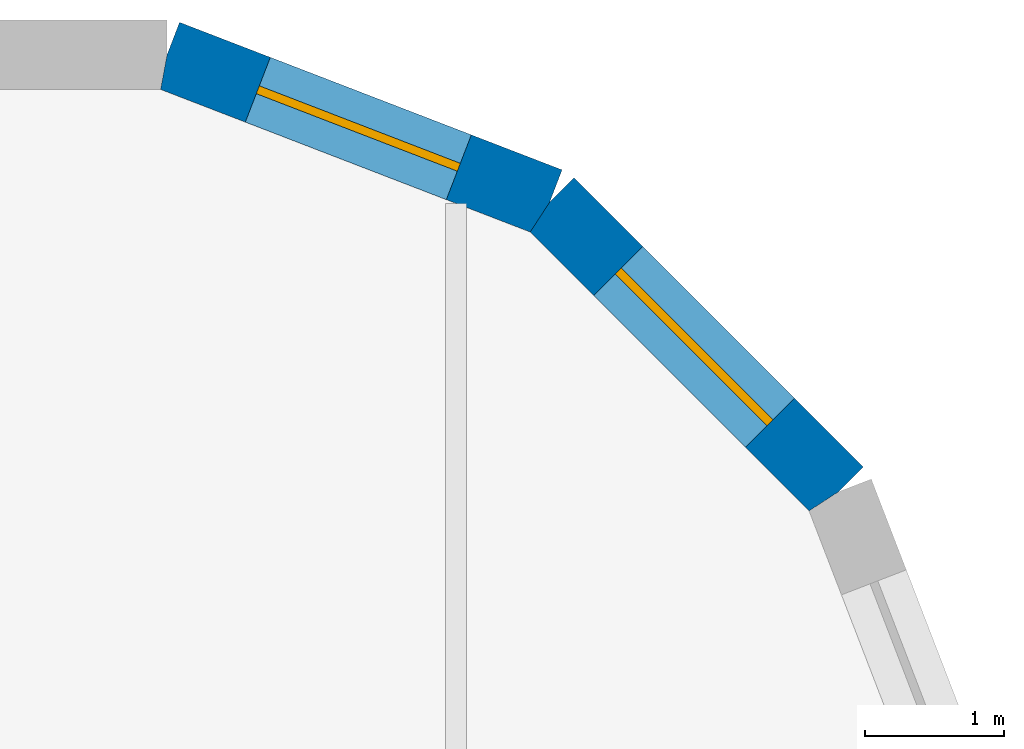
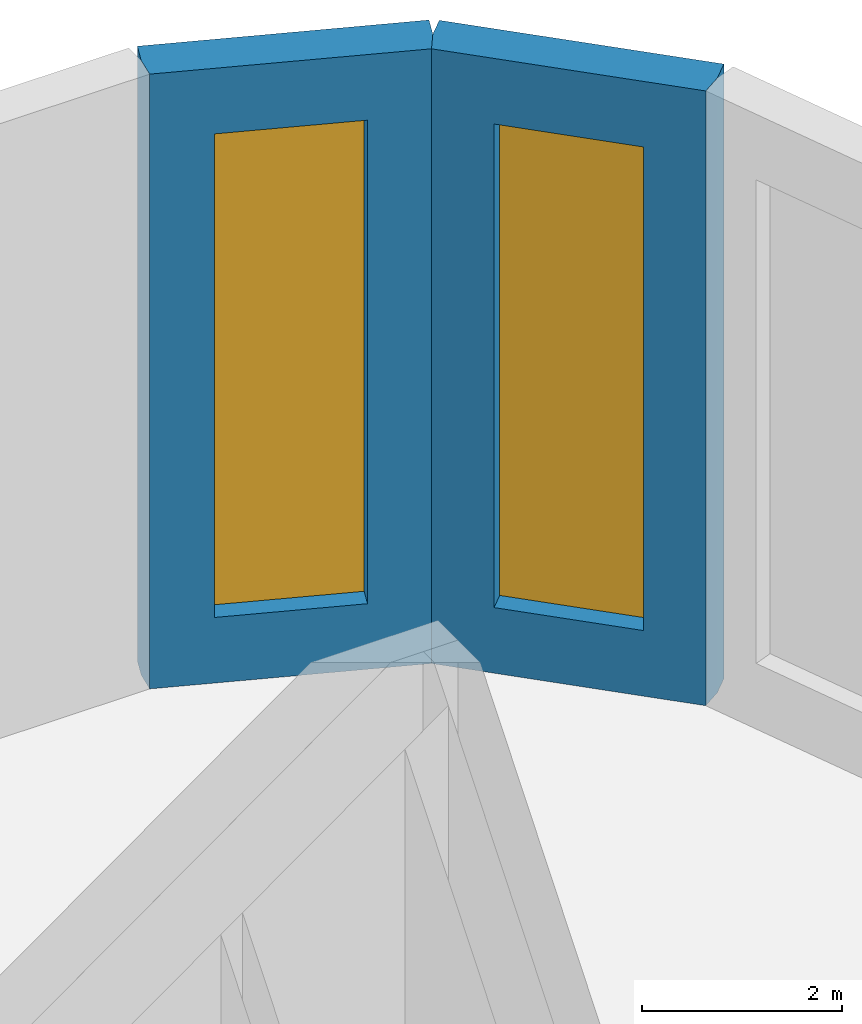
# One storey, part 5 of 6: 2 walls, 2 windows, 2 openings.
"""IFC4 building model written with IfcOpenShell, lengths in metres."""

import ifcopenshell
import ifcopenshell.guid

model = None  # the IFC model being written
_history = None  # IfcOwnerHistory: only IFC2X3 demands one
_inside = {}  # id of a spatial element -> (the spatial element, [elements in it])
_under = {}  # id of a project, library or spatial element -> (it, [spatial elements below it])
_declared = {}  # id of a project -> (the project, [libraries it declares])
_typed = {}  # id of a type object -> (the type object, [elements of that type])
_made_of = {}  # id of a material, layer set ... -> (it, [elements and type objects made of it])


def new_model(schema):
    """Start an empty IFC model of exactly this schema.

    Asked for "IFC4X3", IfcOpenShell would pick the latest addendum, in which some entities
    have other attributes; the version numbers below select the first issue.
    IFC2X3 requires an IfcOwnerHistory on every rooted entity: one is made here for all.
    """
    global model, _history
    if schema == "IFC4X3":
        model = ifcopenshell.file(schema_version=(4, 3, 0, 0))
    else:
        model = ifcopenshell.file(schema=schema)
    _inside.clear()
    _under.clear()
    _declared.clear()
    _typed.clear()
    _made_of.clear()
    _history = None
    if model.schema == "IFC2X3":
        org = make("IfcOrganization", Name="unknown")
        user = make(
            "IfcPersonAndOrganization",
            ThePerson=make("IfcPerson", FamilyName="unknown"),
            TheOrganization=org,
        )
        app = make(
            "IfcApplication",
            ApplicationDeveloper=org,
            Version="unknown",
            ApplicationFullName="unknown",
            ApplicationIdentifier="unknown",
        )
        _history = make(
            "IfcOwnerHistory",
            OwningUser=user,
            OwningApplication=app,
            ChangeAction="ADDED",
            CreationDate=0,
        )
    return model


def make(cls, **values):
    """One entity of the class cls with the attributes given. An attribute that is None is left unset."""
    return model.create_entity(
        cls, **{name: value for name, value in values.items() if value is not None}
    )


def rooted(cls, **values):
    """An entity with a GlobalId (a new one), such as an element, a storey or a relation."""
    return make(cls, GlobalId=ifcopenshell.guid.new(), OwnerHistory=_history, **values)


def si_unit(unit_type, name, prefix=None):
    """IfcSIUnit, for example si_unit("LENGTHUNIT", "METRE", prefix="MILLI")."""
    return make("IfcSIUnit", UnitType=unit_type, Prefix=prefix, Name=name)


def assignment(units):
    """IfcUnitAssignment: the units of a project."""
    return None if units is None else make("IfcUnitAssignment", Units=units)


def point(xyz):
    """IfcCartesianPoint."""
    return None if xyz is None else make("IfcCartesianPoint", Coordinates=xyz)


def direction(xyz):
    """IfcDirection."""
    return None if xyz is None else make("IfcDirection", DirectionRatios=xyz)


def frame(location, z_axis=None, x_axis=None):
    """IfcAxis2Placement3D, a coordinate frame: its origin and axes. An axis left out is left unset."""
    return make(
        "IfcAxis2Placement3D",
        Location=point(location),
        Axis=direction(z_axis),
        RefDirection=direction(x_axis),
    )


def origin():
    """The frame at (0, 0, 0) with its axes left unset."""
    return frame((0.0, 0.0, 0.0))


def place(relative_to, where):
    """IfcLocalPlacement: puts the frame where relative to a parent placement (None: the world)."""
    return make(
        "IfcLocalPlacement", PlacementRelTo=relative_to, RelativePlacement=where
    )


def context(
    kind, dimensions, precision=None, world=None, true_north=None, identifier=None
):
    """IfcGeometricRepresentationContext, for example the 3D "Model" context."""
    return make(
        "IfcGeometricRepresentationContext",
        ContextIdentifier=identifier,
        ContextType=kind,
        CoordinateSpaceDimension=dimensions,
        Precision=precision,
        WorldCoordinateSystem=world,
        TrueNorth=true_north,
    )


def subcontext(parent, identifier, kind, view, scale=None):
    """IfcGeometricRepresentationSubContext, for example "Body" below "Model"."""
    return make(
        "IfcGeometricRepresentationSubContext",
        ContextIdentifier=identifier,
        ContextType=kind,
        ParentContext=parent,
        TargetScale=scale,
        TargetView=view,
    )


def project(units=None, contexts=None):
    """IfcProject with its units and contexts."""
    return rooted(
        "IfcProject",
        Name="project",
        RepresentationContexts=contexts,
        UnitsInContext=assignment(units),
    )


def spatial(cls, under=None, at=None, **own):
    """A site, building, storey or space (cls), placed at a placement, below another one or the project."""
    s = rooted(cls, ObjectPlacement=at, **own)
    if under is not None:
        _under.setdefault(under.id(), (under, []))[1].append(s)
    return s


def polyline(points):
    """IfcPolyline through the points."""
    return make("IfcPolyline", Points=[point(p) for p in points])


def outline(outer, holes=None, kind="AREA"):
    """IfcArbitraryClosedProfileDef: a profile drawn as a closed curve; with holes, ...WithVoids."""
    if holes is None:
        return make("IfcArbitraryClosedProfileDef", ProfileType=kind, OuterCurve=outer)
    return make(
        "IfcArbitraryProfileDefWithVoids",
        ProfileType=kind,
        OuterCurve=outer,
        InnerCurves=holes,
    )


def extrude(swept, where, along, depth):
    """IfcExtrudedAreaSolid: the profile swept, set in the frame where, extruded along a direction by depth."""
    return make(
        "IfcExtrudedAreaSolid",
        SweptArea=swept,
        Position=where,
        ExtrudedDirection=direction(along),
        Depth=depth,
    )


def faces_of(points, faces, orient=None, outer=None):
    """IfcFace entities. A face is a list of loops; a loop is a list of indices into points, from 0.

    orient and outer hold one flag for each loop. By default every Orientation is true, the
    first loop of a face is its IfcFaceOuterBound and the others are IfcFaceBound.
    """
    made = []
    for i, loops in enumerate(faces):
        bounds = []
        for j, loop in enumerate(loops):
            is_outer = j == 0 if outer is None else outer[i][j]
            bounds.append(
                make(
                    "IfcFaceOuterBound" if is_outer else "IfcFaceBound",
                    Bound=make("IfcPolyLoop", Polygon=[points[k] for k in loop]),
                    Orientation=True if orient is None else orient[i][j],
                )
            )
        made.append(make("IfcFace", Bounds=bounds))
    return made


def faceted_brep(points, faces, orient=None, outer=None, voids=None):
    """IfcFacetedBrep: a solid bounded by flat faces; with voids (closed shells), ...WithVoids."""
    shared = [point(p) for p in points]
    hull = make("IfcClosedShell", CfsFaces=faces_of(shared, faces, orient, outer))
    if voids is None:
        return make("IfcFacetedBrep", Outer=hull)
    return make(
        "IfcFacetedBrepWithVoids",
        Outer=hull,
        Voids=[
            make(cls, CfsFaces=faces_of(shared, fs, o, b)) for cls, fs, o, b in voids
        ],
    )


def shape(context_of_items, identifier, shape_type, items):
    """IfcShapeRepresentation: the items that make up one representation, for example the "Body"."""
    return make(
        "IfcShapeRepresentation",
        ContextOfItems=context_of_items,
        RepresentationIdentifier=identifier,
        RepresentationType=shape_type,
        Items=items,
    )


def source(mapping_origin, context_of_items, identifier, shape_type, items):
    """IfcRepresentationMap: a shape defined once, which mapped items show again and again."""
    return make(
        "IfcRepresentationMap",
        MappingOrigin=mapping_origin,
        MappedRepresentation=shape(context_of_items, identifier, shape_type, items),
    )


def transform(
    local_origin,
    x_axis=None,
    y_axis=None,
    z_axis=None,
    scale=None,
    scale2=None,
    scale3=None,
    uniform=True,
):
    """IfcCartesianTransformationOperator3D, or its non-uniform kind. x_axis, y_axis, z_axis: its Axis1, 2, 3."""
    if uniform:
        return make(
            "IfcCartesianTransformationOperator3D",
            Axis1=direction(x_axis),
            Axis2=direction(y_axis),
            LocalOrigin=point(local_origin),
            Scale=scale,
            Axis3=direction(z_axis),
        )
    return make(
        "IfcCartesianTransformationOperator3DnonUniform",
        Axis1=direction(x_axis),
        Axis2=direction(y_axis),
        LocalOrigin=point(local_origin),
        Scale=scale,
        Axis3=direction(z_axis),
        Scale2=scale2,
        Scale3=scale3,
    )


def mapped(mapping_source, mapping_target):
    """IfcMappedItem: shows the shape of a source again, moved by a transform."""
    return make(
        "IfcMappedItem", MappingSource=mapping_source, MappingTarget=mapping_target
    )


def material(Name=None, Category=None):
    """IfcMaterial."""
    return make("IfcMaterial", Name=Name, Category=Category)


def layer(
    of_material, thickness, ventilated=None, Name=None, Category=None, Priority=None
):
    """IfcMaterialLayer: one layer of a wall or slab, of a material (None: an air gap)."""
    return make(
        "IfcMaterialLayer",
        Material=of_material,
        LayerThickness=thickness,
        IsVentilated=ventilated,
        Name=Name,
        Category=Category,
        Priority=Priority,
    )


def layer_set(layers, Name=None):
    """IfcMaterialLayerSet."""
    return make("IfcMaterialLayerSet", MaterialLayers=layers, LayerSetName=Name)


def made_of(thing, what):
    """Note that an element or type object is made of a material, layer set ...; save() writes the relation."""
    if what is not None:
        _made_of.setdefault(what.id(), (what, []))[1].append(thing)
    return thing


def type_object(cls, material=None, **own):
    """A type object (cls), such as IfcWallType, which elements share."""
    return made_of(rooted(cls, **own), material)


def element(
    cls,
    number,
    at=None,
    inside=None,
    cuts=None,
    type_object=None,
    material=None,
    context=None,
    identifier="Body",
    shape_type=None,
    held_by="IfcProductDefinitionShape",
    body=None,
    shapes=None,
    **own,
):
    """One element of the class cls, such as IfcWall. Its Tag is "e" and its number.

    at: its placement. inside: the storey or other place that contains it. cuts: it is an
    opening in that element (IfcRelVoidsElement). A single representation is given by context,
    identifier, shape_type and body (its items); several are given by shapes. held_by: the class
    of the entity that holds the representations. save() writes the other relations.
    """
    e = rooted(cls, Tag="e%d" % number, ObjectPlacement=at, **own)
    if body is not None:
        shapes = [shape(context, identifier, shape_type, body)]
    if shapes is not None:
        e.Representation = make(held_by, Representations=shapes)
    if inside is not None:
        _inside.setdefault(inside.id(), (inside, []))[1].append(e)
    if cuts is not None:
        rooted(
            "IfcRelVoidsElement", RelatingBuildingElement=cuts, RelatedOpeningElement=e
        )
    if type_object is not None:
        _typed.setdefault(type_object.id(), (type_object, []))[1].append(e)
    return made_of(e, material)


def fill(opening, filler):
    """IfcRelFillsElement: the door or window that sits in an opening."""
    return rooted(
        "IfcRelFillsElement",
        RelatingOpeningElement=opening,
        RelatedBuildingElement=filler,
    )


def aggregate(whole, parts):
    """IfcRelAggregates: a whole, such as a stair, and the parts it consists of."""
    return rooted("IfcRelAggregates", RelatingObject=whole, RelatedObjects=parts)


def save(model, path):
    """Write the relations noted so far, then the file.

    IfcRelAggregates (storeys below a building ...), IfcRelContainedInSpatialStructure (elements
    in a storey), IfcRelDefinesByType, IfcRelAssociatesMaterial and IfcRelDeclares: one each for
    every whole, place, type object, material and project.
    """
    for whole, parts in _under.values():
        aggregate(whole, parts)
    for where, things in _inside.values():
        rooted(
            "IfcRelContainedInSpatialStructure",
            RelatedElements=things,
            RelatingStructure=where,
        )
    for kind, things in _typed.values():
        rooted("IfcRelDefinesByType", RelatedObjects=things, RelatingType=kind)
    for what, things in _made_of.values():
        rooted("IfcRelAssociatesMaterial", RelatedObjects=things, RelatingMaterial=what)
    for by, libraries in _declared.values():
        rooted("IfcRelDeclares", RelatingContext=by, RelatedDefinitions=libraries)
    model.write(path)


model = new_model("IFC4")

# Units and contexts
model_context = context("Model", 3, precision=1e-05, world=origin(), true_north=direction((0.0, 1.0)))
body_context = subcontext(model_context, "Body", "Model", "MODEL_VIEW")
ifc_project = project(units=[si_unit("LENGTHUNIT", "METRE"), si_unit("AREAUNIT", "SQUARE_METRE"), si_unit("VOLUMEUNIT", "CUBIC_METRE"), si_unit("PLANEANGLEUNIT", "RADIAN"), si_unit("MASSUNIT", "GRAM", prefix="KILO")], contexts=[model_context])

# Site, building, storey
site_placement = place(None, origin())
site = spatial("IfcSite", under=ifc_project, at=site_placement, CompositionType="ELEMENT")
building_placement = place(site_placement, origin())
building = spatial("IfcBuilding", under=site, at=building_placement, Name="Tessera Gate Towers", CompositionType="ELEMENT")
storey_placement = place(building_placement, frame((0.0, 0.0, 265.699951171875)))
storey = spatial("IfcBuildingStorey", under=building, at=storey_placement, Name="L66", CompositionType="ELEMENT", Elevation=265.699951171875)

# Wall, opening, window
ifc_material_1 = material(Name="Precast concrete C60/75 white", Category="concrete")
ifc_layer_1 = layer(ifc_material_1, 0.5)
ifc_layer_set_1 = layer_set([ifc_layer_1], Name="RB1 ring band panel")
wall_type = type_object("IfcWallType", Name="RB1 ring band panel", PredefinedType="SOLIDWALL", material=ifc_layer_set_1)
shared_shape_1 = source(origin(), body_context, "Body", "Brep", [
    faceted_brep([(0.0, -0.25, 0.0), (2.944091796875, -0.25, 0.0), (2.944091796875, -0.25, 7.5), (0.0, -0.25, 7.5), (0.052978515625, 0.25, 7.5), (2.89111328125, 0.25, 7.5), (2.89111328125, 0.25, 0.0), (0.052978515625, 0.25, 0.0), (2.944091796875, 0.000244140625, 0.0), (0.0, 0.0, 0.0), (2.944091796875, 0.000244140625, 7.5), (0.0, 0.0, 7.5)], [[[0, 1, 2, 3]], [[4, 5, 6, 7]], [[7, 6, 8, 1, 0, 9]], [[10, 2, 1, 8]], [[5, 4, 11, 3, 2, 10]], [[9, 0, 3, 11]], [[7, 9, 11, 4]], [[8, 6, 5, 10]]]),
])
wall_1_placement = place(storey_placement, frame((59.68798828125, 51.50634765625, 0.0), z_axis=(0.0, 0.0, 1.0), x_axis=(-0.707106781187, 0.707106781187, 0.0)))
wall_1 = element("IfcWall", 1, at=wall_1_placement, inside=storey, type_object=wall_type, Name="Ring band panel T1 RB1-0532", PredefinedType="SOLIDWALL", context=body_context, shape_type="MappedRepresentation", body=[
    mapped(shared_shape_1, transform((0.0, 0.0, 0.0), scale=1.0)),
])
shared_shape_2 = source(origin(), body_context, "Body", "SweptSolid", [
    extrude(outline(polyline([(0.699951171875, 0.800048828125), (2.244140625, 0.800048828125), (2.244140625, 6.699951171875), (0.699951171875, 6.699951171875), (0.699951171875, 0.800048828125)])), frame((0.0, 0.260009765625, 0.0), z_axis=(0.0, -1.0, 0.0), x_axis=(1.0, 0.0, 0.0)), (0.0, 0.0, 1.0), 0.52001953125),
])
opening_1_placement = place(wall_1_placement, origin())
opening_1 = element("IfcOpeningElement", 2, at=opening_1_placement, cuts=wall_1, Name="Opening T1-WN-LV1-0107", PredefinedType="OPENING", context=body_context, shape_type="MappedRepresentation", body=[
    mapped(shared_shape_2, transform((0.0, 0.0, 0.0), scale=1.0)),
])
ifc_material_2 = material(Name="Aluminium louvre", Category="aluminium")
ifc_layer_2 = layer(ifc_material_2, 0.06005859375)
ifc_layer_set_2 = layer_set([ifc_layer_2], Name="LV1 louvre")
window_type = type_object("IfcWindowType", Name="LV1 louvre", PartitioningType="USERDEFINED", PredefinedType="WINDOW", material=ifc_layer_set_2)
shared_shape_3 = source(origin(), body_context, "Body", "SweptSolid", [
    extrude(outline(polyline([(0.699951171875, 0.800048828125), (2.244140625, 0.800048828125), (2.244140625, 6.699951171875), (0.699951171875, 6.699951171875), (0.699951171875, 0.800048828125)])), frame((0.0, 0.030029296875, 0.0), z_axis=(0.0, -1.0, 0.0), x_axis=(1.0, 0.0, 0.0)), (0.0, 0.0, 1.0), 0.06005859375),
])
window_1_placement = place(opening_1_placement, origin())
window_1 = element("IfcWindow", 3, at=window_1_placement, inside=storey, type_object=window_type, Name="Louvre T1 WN-LV1-0107", OverallHeight=5.89990234375, OverallWidth=1.544189453125, PartitioningType="USERDEFINED", PredefinedType="WINDOW", context=body_context, shape_type="MappedRepresentation", body=[
    mapped(shared_shape_3, transform((0.0, 0.0, 0.0), scale=1.0)),
])
fill(opening_1, window_1)

shared_shape_4 = source(origin(), body_context, "Body", "Brep", [
    faceted_brep([(0.0, -0.25, 0.0), (2.950439453125, -0.25, 0.0), (2.950439453125, -0.25, 7.5), (0.0, -0.25, 7.5), (0.052978515625, 0.25, 7.5), (2.904052734375, 0.25, 7.5), (2.904052734375, 0.25, 0.0), (0.052978515625, 0.25, 0.0), (2.950439453125, 0.00048828125, 0.0), (0.0, 0.0, 0.0), (2.950439453125, 0.00048828125, 7.5), (0.0, 0.0, 7.5)], [[[0, 1, 2, 3]], [[4, 5, 6, 7]], [[7, 6, 8, 1, 0, 9]], [[10, 2, 1, 8]], [[5, 4, 11, 3, 2, 10]], [[9, 0, 3, 11]], [[7, 9, 11, 4]], [[8, 6, 5, 10]]]),
])
wall_2_placement = place(storey_placement, frame((57.606201171875, 53.588134765625, 0.0), z_axis=(0.0, 0.0, 1.0), x_axis=(-0.932999673775, 0.359877213415, 0.0)))
wall_2 = element("IfcWall", 4, at=wall_2_placement, inside=storey, type_object=wall_type, Name="Ring band panel T1 RB1-0533", PredefinedType="SOLIDWALL", context=body_context, shape_type="MappedRepresentation", body=[
    mapped(shared_shape_4, transform((0.0, 0.0, 0.0), scale=1.0)),
])
shared_shape_5 = source(origin(), body_context, "Body", "SweptSolid", [
    extrude(outline(polyline([(0.699951171875, 0.800048828125), (2.25048828125, 0.800048828125), (2.25048828125, 6.699951171875), (0.699951171875, 6.699951171875), (0.699951171875, 0.800048828125)])), frame((0.0, 0.260009765625, 0.0), z_axis=(0.0, -1.0, 0.0), x_axis=(1.0, 0.0, 0.0)), (0.0, 0.0, 1.0), 0.52001953125),
])
opening_2_placement = place(wall_2_placement, origin())
opening_2 = element("IfcOpeningElement", 5, at=opening_2_placement, cuts=wall_2, Name="Opening T1-WN-LV1-0108", PredefinedType="OPENING", context=body_context, shape_type="MappedRepresentation", body=[
    mapped(shared_shape_5, transform((0.0, 0.0, 0.0), scale=1.0)),
])
shared_shape_6 = source(origin(), body_context, "Body", "SweptSolid", [
    extrude(outline(polyline([(0.699951171875, 0.800048828125), (2.25048828125, 0.800048828125), (2.25048828125, 6.699951171875), (0.699951171875, 6.699951171875), (0.699951171875, 0.800048828125)])), frame((0.0, 0.030029296875, 0.0), z_axis=(0.0, -1.0, 0.0), x_axis=(1.0, 0.0, 0.0)), (0.0, 0.0, 1.0), 0.06005859375),
])
window_2_placement = place(opening_2_placement, origin())
window_2 = element("IfcWindow", 6, at=window_2_placement, inside=storey, type_object=window_type, Name="Louvre T1 WN-LV1-0108", OverallHeight=5.89990234375, OverallWidth=1.550537109375, PartitioningType="USERDEFINED", PredefinedType="WINDOW", context=body_context, shape_type="MappedRepresentation", body=[
    mapped(shared_shape_6, transform((0.0, 0.0, 0.0), scale=1.0)),
])
fill(opening_2, window_2)

save(model, "model.ifc")
